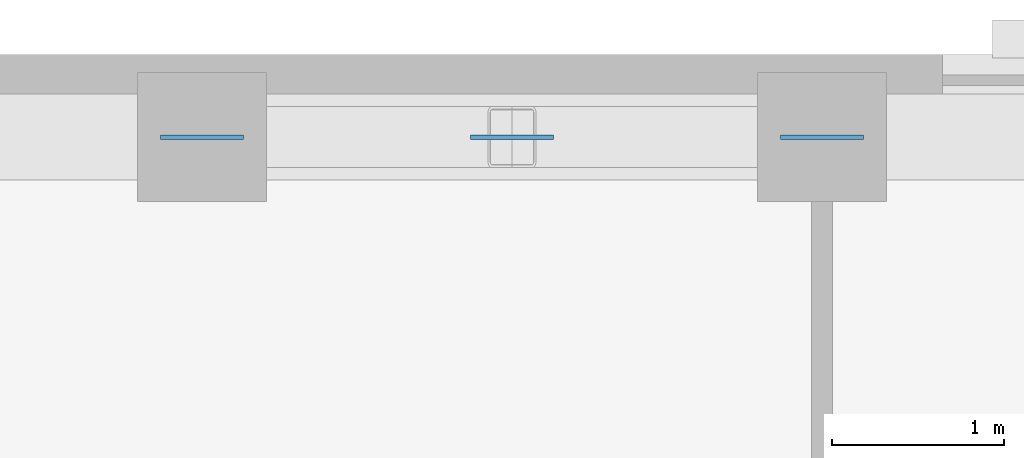
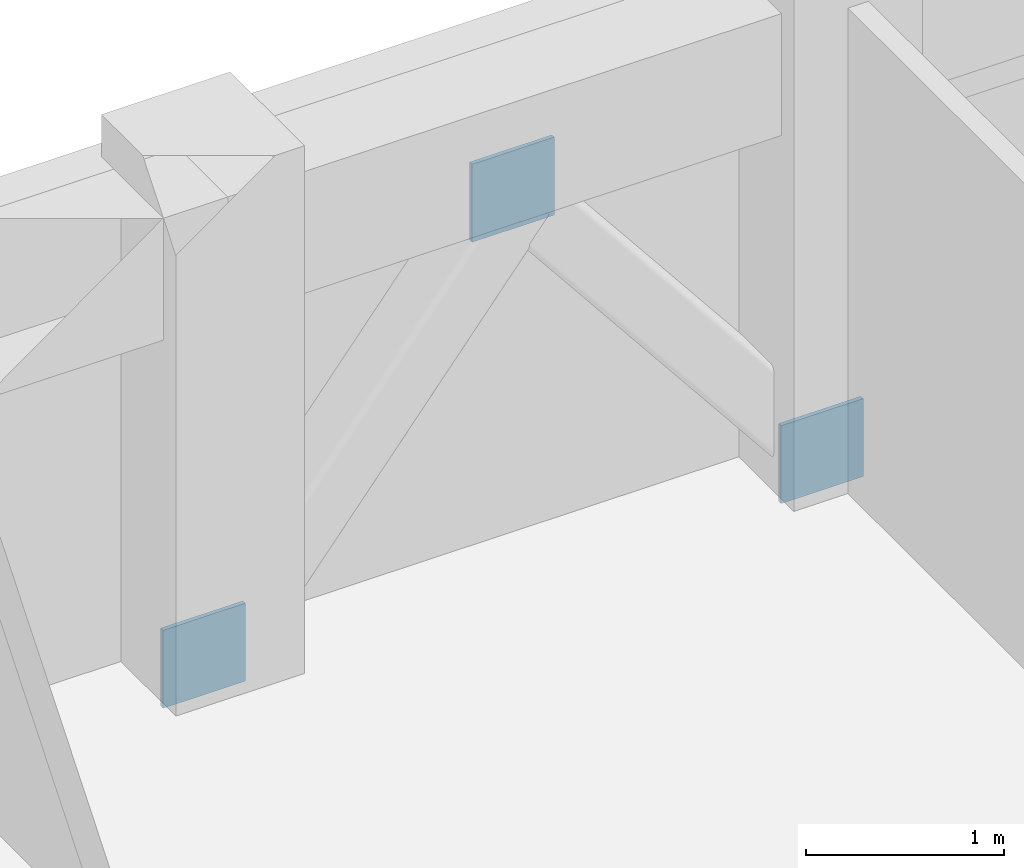
# One storey, part 10 of 12: 3 discrete accessories.
"""IFC4 building model written with IfcOpenShell, lengths in metres."""

from ifc_helpers import new_model, si_unit, derived_unit, direction, frame, origin, origin_2d, place, context, subcontext, project, spatial, rectangle, extrude, material, layer, layer_set, type_object, element, save


model = new_model("IFC4")

# Units and contexts
model_context = context("Model", 3, precision=1e-05, world=origin(), true_north=direction((0.0, 1.0)))
body_context = subcontext(model_context, "Body", "Model", "MODEL_VIEW")
ifc_project = project(units=[si_unit("LENGTHUNIT", "METRE"), si_unit("AREAUNIT", "SQUARE_METRE"), si_unit("VOLUMEUNIT", "CUBIC_METRE"), si_unit("PLANEANGLEUNIT", "RADIAN"), si_unit("MASSUNIT", "GRAM", prefix="KILO"), derived_unit("THERMALTRANSMITTANCEUNIT", [(si_unit("MASSUNIT", "GRAM", prefix="KILO"), 1), (si_unit("TIMEUNIT", "SECOND"), -3), (si_unit("THERMODYNAMICTEMPERATUREUNIT", "KELVIN"), -1)])], contexts=[model_context])

# Site, building, storey
site_placement = place(None, origin())
site = spatial("IfcSite", under=ifc_project, at=site_placement, CompositionType="ELEMENT")
building_placement = place(site_placement, origin())
building = spatial("IfcBuilding", under=site, at=building_placement, Name="Korrvale Station Residences", CompositionType="ELEMENT")
storey_placement = place(building_placement, frame((0.0, 0.0, 127.64990234375)))
storey = spatial("IfcBuildingStorey", under=building, at=storey_placement, Name="L36", CompositionType="ELEMENT", Elevation=127.64990234375)

# Discrete accessories
ifc_material = material(Name="Steel S355", Category="steel")
ifc_layer = layer(ifc_material, 0.02490234375, Name="Steel S355")
ifc_layer_set = layer_set([ifc_layer], Name="Steel S355")
discrete_accessory_type = type_object("IfcDiscreteAccessoryType", Name="ACC-GUSSET-25", PredefinedType="BRACKET", material=ifc_layer_set)
for number, where, z_axis, x_axis, name in (
    (1, (23.199951171875, 42.820068359375, -0.219970703125), (0.0, 0.0, 1.0), (1.0, 0.0, 0.0), "L36 N Brace End Gusset Connection A"),
    (2, (26.800048828125, 42.820068359375, -0.219970703125), (0.0, 0.0, 1.0), (1.0, 0.0, 0.0), "L36 N Brace End Gusset Connection B"),
    (3, (25.0, 42.820068359375, 2.02001953125), (0.0, 0.0, 1.0), (1.0, 0.0, 0.0), "L36 N Brace End Gusset Connection M"),
):
    element("IfcDiscreteAccessory", number, at=place(storey_placement, frame(where, z_axis=z_axis, x_axis=x_axis)), inside=storey, type_object=discrete_accessory_type, Name=name, PredefinedType="BRACKET", context=body_context, shape_type="SweptSolid", body=[
        extrude(rectangle(XDim=0.47998046875, YDim=0.02490234375, at=origin_2d()), origin(), (0.0, 0.0, 1.0), 0.47998046875),
    ])

save(model, "model.ifc")
